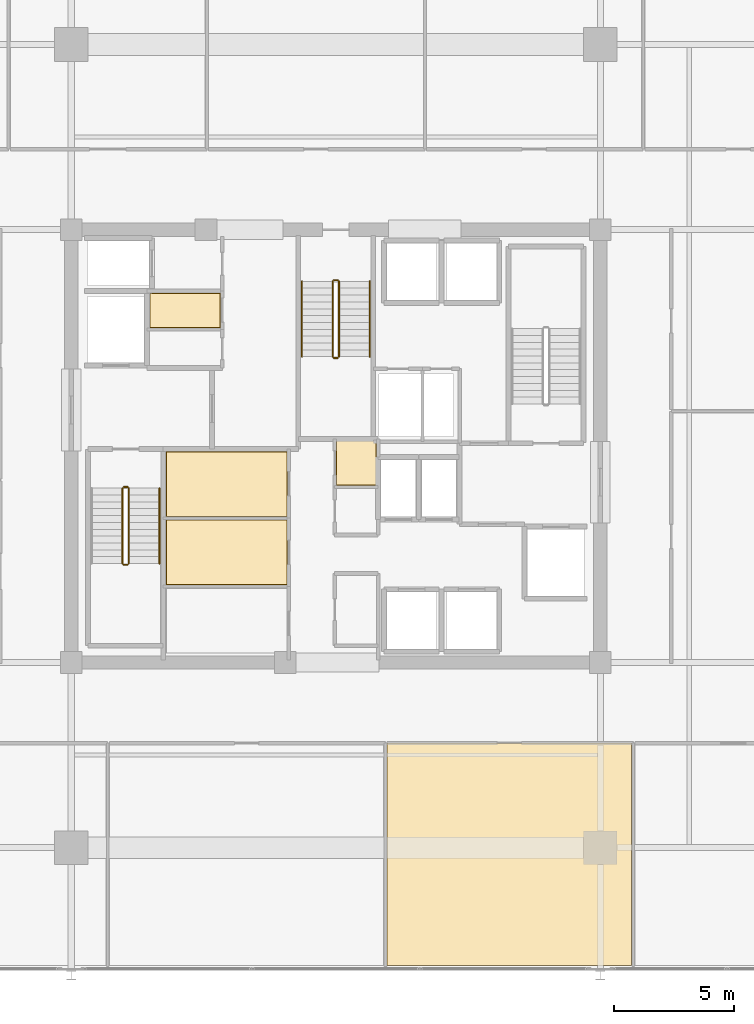
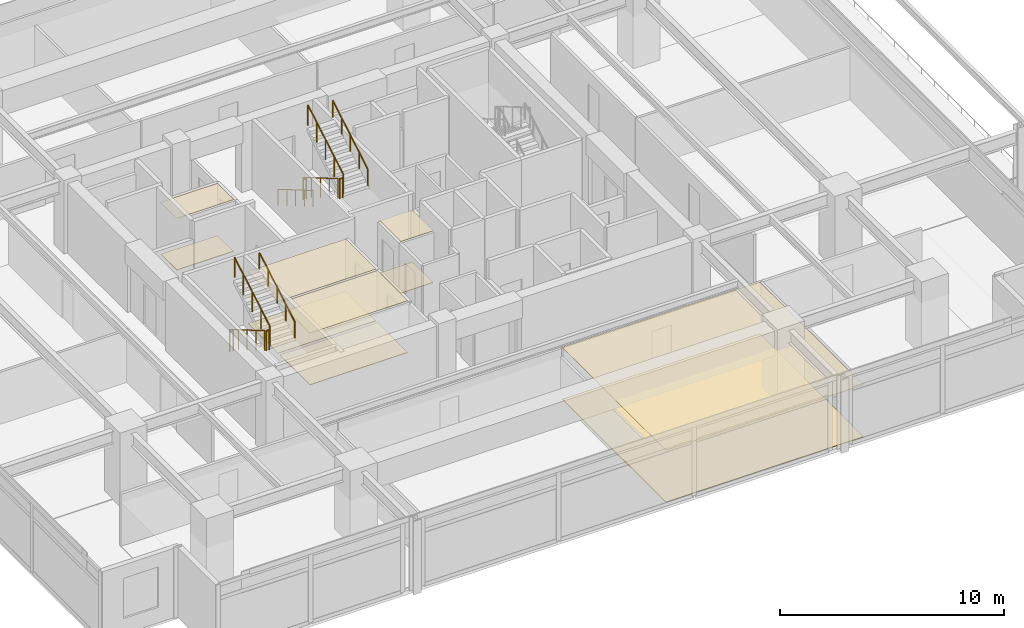
# One storey, part 19 of 21: 11 railings, 10 coverings.
"""IFC4 building model written with IfcOpenShell, lengths in metres."""

from ifc_helpers import new_model, si_unit, direction, frame, origin, origin_2d, place, context, subcontext, project, spatial, polyline, circle, outline, extrude, material, layer, layer_set, type_object, element, save


model = new_model("IFC4")

# Units and contexts
model_context = context("Model", 3, precision=1e-05, world=origin(), true_north=direction((0.0, 1.0)))
body_context = subcontext(model_context, "Body", "Model", "MODEL_VIEW")
ifc_project = project(units=[si_unit("LENGTHUNIT", "METRE"), si_unit("AREAUNIT", "SQUARE_METRE"), si_unit("VOLUMEUNIT", "CUBIC_METRE"), si_unit("PLANEANGLEUNIT", "RADIAN"), si_unit("MASSUNIT", "GRAM", prefix="KILO")], contexts=[model_context])

# Site, building, storey
site_placement = place(None, origin())
site = spatial("IfcSite", under=ifc_project, at=site_placement, CompositionType="ELEMENT")
building_placement = place(site_placement, origin())
building = spatial("IfcBuilding", under=site, at=building_placement, Name="Kovane Verandah Tower", CompositionType="ELEMENT")
storey_placement = place(building_placement, frame((0.0, 0.0, 209.199951171875)))
storey = spatial("IfcBuildingStorey", under=building, at=storey_placement, Name="L48", CompositionType="ELEMENT", Elevation=209.199951171875)

# Coverings
ifc_material_1 = material(Name="Perforated Acoustic Mineral-Fibre Ceiling Tile", Category="gypsum")
ifc_layer_1 = layer(ifc_material_1, 0.02490234375)
ifc_layer_set_1 = layer_set([ifc_layer_1], Name="Perforated Acoustic Mineral-Fibre Ceiling Tile")
covering_type_1 = type_object("IfcCoveringType", Name="CV-CEIL-25", PredefinedType="CEILING", material=ifc_layer_set_1)
covering_1_placement = place(storey_placement, frame((0.0, 0.0, 2.824951171875)))
element("IfcCovering", 1, at=covering_1_placement, inside=storey, type_object=covering_type_1, Name="L48 First Aid and Wellness Room Acoustic Ceiling", PredefinedType="CEILING", context=body_context, shape_type="SweptSolid", body=[
    extrude(outline(polyline([(32.93505859375, 21.72509765625), (37.9951171875, 21.72509765625), (37.9951171875, 24.43505859375), (32.93505859375, 24.43505859375), (32.93505859375, 21.72509765625)])), origin(), (0.0, 0.0, 1.0), 0.025146484375),
])
covering_2_placement = place(storey_placement, frame((0.0, 0.0, 2.824951171875)))
element("IfcCovering", 2, at=covering_2_placement, inside=storey, type_object=covering_type_1, Name="L48 Tea and Copy Hub Acoustic Ceiling", PredefinedType="CEILING", context=body_context, shape_type="SweptSolid", body=[
    extrude(outline(polyline([(32.93505859375, 24.56494140625), (37.9951171875, 24.56494140625), (37.9951171875, 27.264892578125), (32.93505859375, 27.264892578125), (32.93505859375, 24.56494140625)])), origin(), (0.0, 0.0, 1.0), 0.025146484375),
])
covering_3_placement = place(storey_placement, frame((0.0, 0.0, 2.824951171875)))
element("IfcCovering", 3, at=covering_3_placement, inside=storey, type_object=covering_type_1, Name="L48 North-West First Aid Room Acoustic Ceiling", PredefinedType="CEILING", context=body_context, shape_type="SweptSolid", body=[
    extrude(outline(polyline([(32.264892578125, 32.4150390625), (35.195068359375, 32.4150390625), (35.195068359375, 33.864990234375), (32.264892578125, 33.864990234375), (32.264892578125, 32.4150390625)])), origin(), (0.0, 0.0, 1.0), 0.025146484375),
])
covering_4_placement = place(storey_placement, frame((0.0, 0.0, 2.824951171875)))
element("IfcCovering", 4, at=covering_4_placement, inside=storey, type_object=covering_type_1, Name="L48 Central First Aid and Wellness Room Acoustic Ceiling", PredefinedType="CEILING", context=body_context, shape_type="SweptSolid", body=[
    extrude(outline(polyline([(40.0048828125, 25.864990234375), (41.695068359375, 25.864990234375), (41.695068359375, 27.735107421875), (40.0048828125, 27.735107421875), (40.0048828125, 25.864990234375)])), origin(), (0.0, 0.0, 1.0), 0.025146484375),
])
covering_5_placement = place(storey_placement, frame((0.0, 0.0, 2.824951171875)))
element("IfcCovering", 5, at=covering_5_placement, inside=storey, type_object=covering_type_1, Name="L48 Open Plan Office S3 Acoustic Ceiling", PredefinedType="CEILING", context=body_context, shape_type="SweptSolid", body=[
    extrude(outline(polyline([(42.1318359375, 5.908447265625), (52.30078125, 5.908447265625), (52.30078125, 15.14990234375), (42.1318359375, 15.14990234375), (42.1318359375, 5.908447265625)])), origin(), (0.0, 0.0, 1.0), 0.025146484375),
])
ifc_material_2 = material(Name="Polished Terrazzo and Raised-Access Carpet Tile Finish", Category="concrete")
ifc_layer_2 = layer(ifc_material_2, 0.030029296875)
ifc_layer_set_2 = layer_set([ifc_layer_2], Name="Polished Terrazzo and Raised-Access Carpet Tile Finish")
covering_type_2 = type_object("IfcCoveringType", Name="CV-FLOR-30", PredefinedType="FLOORING", material=ifc_layer_set_2)
covering_6_placement = place(storey_placement, origin())
element("IfcCovering", 6, at=covering_6_placement, inside=storey, type_object=covering_type_2, Name="L48 First Aid and Wellness Room Floor Finish", PredefinedType="FLOORING", context=body_context, shape_type="SweptSolid", body=[
    extrude(outline(polyline([(32.949951171875, 21.739990234375), (37.97998046875, 21.739990234375), (37.97998046875, 24.419921875), (32.949951171875, 24.419921875), (32.949951171875, 21.739990234375)])), origin(), (0.0, 0.0, 1.0), 0.030029296875),
])
covering_7_placement = place(storey_placement, origin())
element("IfcCovering", 7, at=covering_7_placement, inside=storey, type_object=covering_type_2, Name="L48 Tea and Copy Hub Floor Finish", PredefinedType="FLOORING", context=body_context, shape_type="SweptSolid", body=[
    extrude(outline(polyline([(32.949951171875, 24.580078125), (37.97998046875, 24.580078125), (37.97998046875, 27.25), (32.949951171875, 27.25), (32.949951171875, 24.580078125)])), origin(), (0.0, 0.0, 1.0), 0.030029296875),
])
covering_8_placement = place(storey_placement, origin())
element("IfcCovering", 8, at=covering_8_placement, inside=storey, type_object=covering_type_2, Name="L48 North-West First Aid Room Floor Finish", PredefinedType="FLOORING", context=body_context, shape_type="SweptSolid", body=[
    extrude(outline(polyline([(32.280029296875, 32.429931640625), (35.179931640625, 32.429931640625), (35.179931640625, 33.85009765625), (32.280029296875, 33.85009765625), (32.280029296875, 32.429931640625)])), origin(), (0.0, 0.0, 1.0), 0.030029296875),
])
covering_9_placement = place(storey_placement, origin())
element("IfcCovering", 9, at=covering_9_placement, inside=storey, type_object=covering_type_2, Name="L48 Central First Aid and Wellness Room Floor Finish", PredefinedType="FLOORING", context=body_context, shape_type="SweptSolid", body=[
    extrude(outline(polyline([(40.02001953125, 25.8798828125), (41.679931640625, 25.8798828125), (41.679931640625, 27.719970703125), (40.02001953125, 27.719970703125), (40.02001953125, 25.8798828125)])), origin(), (0.0, 0.0, 1.0), 0.030029296875),
])
covering_10_placement = place(storey_placement, origin())
element("IfcCovering", 10, at=covering_10_placement, inside=storey, type_object=covering_type_2, Name="L48 Open Plan Office S3 Floor Finish", PredefinedType="FLOORING", context=body_context, shape_type="SweptSolid", body=[
    extrude(outline(polyline([(42.1318359375, 5.908447265625), (52.30078125, 5.908447265625), (52.30078125, 15.14990234375), (42.1318359375, 15.14990234375), (42.1318359375, 5.908447265625)])), origin(), (0.0, 0.0, 1.0), 0.030029296875),
])

# Railings
ifc_material_3 = material(Name="Brushed Stainless Steel Handrail", Category="steel")
railing_type_1 = type_object("IfcRailingType", Name="RL-HAND-920", PredefinedType="HANDRAIL", material=ifc_material_3)
railing_1_placement = place(storey_placement, frame((32.669921875, 22.614990234375, 2.166748046875)))
element("IfcRailing", 11, at=railing_1_placement, inside=storey, type_object=railing_type_1, Name="L48 ST-01 stair handrail 2", PredefinedType="HANDRAIL", context=body_context, shape_type="SweptSolid", body=[
    extrude(circle(Radius=0.02392578125, at=origin_2d()), frame((0.0, 0.0, 0.8759765625), z_axis=(0.0, 0.863239559939, 0.504794475164), x_axis=(-1.0, 0.0, 0.0)), (0.0, 0.0, 1.0), 3.631591796875),
    extrude(circle(Radius=0.02099609375, at=origin_2d()), origin(), (0.0, 0.0, 1.0), 0.851806640625),
    extrude(circle(Radius=0.02099609375, at=origin_2d()), frame((0.0, 0.78369140625, 0.458251953125)), (0.0, 0.0, 1.0), 0.851806640625),
    extrude(circle(Radius=0.02099609375, at=origin_2d()), frame((0.0, 1.5673828125, 0.91650390625)), (0.0, 0.0, 1.0), 0.851806640625),
    extrude(circle(Radius=0.02099609375, at=origin_2d()), frame((0.0, 2.351318359375, 1.375)), (0.0, 0.0, 1.0), 0.851806640625),
    extrude(circle(Radius=0.02099609375, at=origin_2d()), frame((0.0, 3.135009765625, 1.833251953125)), (0.0, 0.0, 1.0), 0.851806640625),
])
railing_2_placement = place(storey_placement, frame((38.590087890625, 34.35009765625, 0.166748046875)))
element("IfcRailing", 12, at=railing_2_placement, inside=storey, type_object=railing_type_1, Name="L48 ST-03 stair handrail 1", PredefinedType="HANDRAIL", context=body_context, shape_type="SweptSolid", body=[
    extrude(circle(Radius=0.02392578125, at=origin_2d()), frame((0.0, 0.0, 0.8759765625), z_axis=(0.0, -0.863239559939, 0.504794475164), x_axis=(1.0, 0.0, 0.0)), (0.0, 0.0, 1.0), 3.631591796875),
    extrude(circle(Radius=0.02099609375, at=origin_2d()), origin(), (0.0, 0.0, 1.0), 0.851806640625),
    extrude(circle(Radius=0.02099609375, at=origin_2d()), frame((0.0, -0.78369140625, 0.458251953125)), (0.0, 0.0, 1.0), 0.851806640625),
    extrude(circle(Radius=0.02099609375, at=origin_2d()), frame((0.0, -1.5673828125, 0.91650390625)), (0.0, 0.0, 1.0), 0.851806640625),
    extrude(circle(Radius=0.02099609375, at=origin_2d()), frame((0.0, -2.351318359375, 1.375)), (0.0, 0.0, 1.0), 0.851806640625),
    extrude(circle(Radius=0.02099609375, at=origin_2d()), frame((0.0, -3.135009765625, 1.833251953125)), (0.0, 0.0, 1.0), 0.851806640625),
])
railing_3_placement = place(storey_placement, frame((41.409912109375, 31.215087890625, 2.166748046875)))
element("IfcRailing", 13, at=railing_3_placement, inside=storey, type_object=railing_type_1, Name="L48 ST-03 stair handrail 2", PredefinedType="HANDRAIL", context=body_context, shape_type="SweptSolid", body=[
    extrude(circle(Radius=0.02392578125, at=origin_2d()), frame((0.0, 0.0, 0.8759765625), z_axis=(0.0, 0.863239559939, 0.504794475164), x_axis=(-1.0, 0.0, 0.0)), (0.0, 0.0, 1.0), 3.631591796875),
    extrude(circle(Radius=0.02099609375, at=origin_2d()), origin(), (0.0, 0.0, 1.0), 0.851806640625),
    extrude(circle(Radius=0.02099609375, at=origin_2d()), frame((0.0, 0.78369140625, 0.458251953125)), (0.0, 0.0, 1.0), 0.851806640625),
    extrude(circle(Radius=0.02099609375, at=origin_2d()), frame((0.0, 1.5673828125, 0.91650390625)), (0.0, 0.0, 1.0), 0.851806640625),
    extrude(circle(Radius=0.02099609375, at=origin_2d()), frame((0.0, 2.351318359375, 1.375)), (0.0, 0.0, 1.0), 0.851806640625),
    extrude(circle(Radius=0.02099609375, at=origin_2d()), frame((0.0, 3.135009765625, 1.833251953125)), (0.0, 0.0, 1.0), 0.851806640625),
])
ifc_material_4 = material(Name="Painted Steel Stairwell Guardrail", Category="steel")
railing_type_2 = type_object("IfcRailingType", Name="RL-STGUARD-1120", PredefinedType="GUARDRAIL", material=ifc_material_4)
railing_4_placement = place(storey_placement, frame((31.1298828125, 25.75, 0.166748046875)))
element("IfcRailing", 14, at=railing_4_placement, inside=storey, type_object=railing_type_2, Name="L48 ST-01 stair guard 1", PredefinedType="GUARDRAIL", context=body_context, shape_type="SweptSolid", body=[
    extrude(circle(Radius=0.02392578125, at=origin_2d()), frame((0.0, 0.0, 1.076171875), z_axis=(0.0, -0.863239559939, 0.504794475164), x_axis=(1.0, 0.0, 0.0)), (0.0, 0.0, 1.0), 3.631591796875),
    extrude(circle(Radius=0.02099609375, at=origin_2d()), origin(), (0.0, 0.0, 1.0), 1.052001953125),
    extrude(circle(Radius=0.02099609375, at=origin_2d()), frame((0.0, -0.78369140625, 0.458251953125)), (0.0, 0.0, 1.0), 1.052001953125),
    extrude(circle(Radius=0.02099609375, at=origin_2d()), frame((0.0, -1.5673828125, 0.91650390625)), (0.0, 0.0, 1.0), 1.052001953125),
    extrude(circle(Radius=0.02099609375, at=origin_2d()), frame((0.0, -2.351318359375, 1.375)), (0.0, 0.0, 1.0), 1.052001953125),
    extrude(circle(Radius=0.02099609375, at=origin_2d()), frame((0.0, -3.135009765625, 1.833251953125)), (0.0, 0.0, 1.0), 1.052001953125),
])
railing_5_placement = place(storey_placement, frame((31.179931640625, 22.56494140625, 2.0)))
element("IfcRailing", 15, at=railing_5_placement, inside=storey, type_object=railing_type_2, Name="L48 ST-01 stair guard 2", PredefinedType="GUARDRAIL", context=body_context, shape_type="SweptSolid", body=[
    extrude(circle(Radius=0.02392578125, at=origin_2d()), frame((0.0, 0.0, 1.076171875), z_axis=(1.0, 0.0, 0.0), x_axis=(0.0, 1.0, 0.0)), (0.0, 0.0, 1.0), 0.16015625),
    extrude(circle(Radius=0.02099609375, at=origin_2d()), origin(), (0.0, 0.0, 1.0), 1.052001953125),
    extrude(circle(Radius=0.02099609375, at=origin_2d()), frame((0.16015625, 0.0, 0.0)), (0.0, 0.0, 1.0), 1.052001953125),
])
railing_6_placement = place(storey_placement, frame((31.389892578125, 22.614990234375, 2.166748046875)))
element("IfcRailing", 16, at=railing_6_placement, inside=storey, type_object=railing_type_2, Name="L48 ST-01 stair guard 3", PredefinedType="GUARDRAIL", context=body_context, shape_type="SweptSolid", body=[
    extrude(circle(Radius=0.02392578125, at=origin_2d()), frame((0.0, 0.0, 1.076171875), z_axis=(0.0, 0.863239559939, 0.504794475164), x_axis=(-1.0, 0.0, 0.0)), (0.0, 0.0, 1.0), 3.631591796875),
    extrude(circle(Radius=0.02099609375, at=origin_2d()), origin(), (0.0, 0.0, 1.0), 1.052001953125),
    extrude(circle(Radius=0.02099609375, at=origin_2d()), frame((0.0, 0.78369140625, 0.458251953125)), (0.0, 0.0, 1.0), 1.052001953125),
    extrude(circle(Radius=0.02099609375, at=origin_2d()), frame((0.0, 1.5673828125, 0.91650390625)), (0.0, 0.0, 1.0), 1.052001953125),
    extrude(circle(Radius=0.02099609375, at=origin_2d()), frame((0.0, 2.351318359375, 1.375)), (0.0, 0.0, 1.0), 1.052001953125),
    extrude(circle(Radius=0.02099609375, at=origin_2d()), frame((0.0, 3.135009765625, 1.833251953125)), (0.0, 0.0, 1.0), 1.052001953125),
])
railing_7_placement = place(storey_placement, frame((31.179931640625, 25.800048828125, 0.0)))
element("IfcRailing", 17, at=railing_7_placement, inside=storey, type_object=railing_type_2, Name="L48 ST-01 stair guard 4", PredefinedType="GUARDRAIL", context=body_context, shape_type="SweptSolid", body=[
    extrude(circle(Radius=0.02392578125, at=origin_2d()), frame((0.0, 0.0, 1.076171875), z_axis=(1.0, 0.0, 0.0), x_axis=(0.0, 1.0, 0.0)), (0.0, 0.0, 1.0), 0.16015625),
    extrude(circle(Radius=0.02099609375, at=origin_2d()), origin(), (0.0, 0.0, 1.0), 1.052001953125),
    extrude(circle(Radius=0.02099609375, at=origin_2d()), frame((0.16015625, 0.0, 0.0)), (0.0, 0.0, 1.0), 1.052001953125),
])
railing_8_placement = place(storey_placement, frame((39.8701171875, 34.35009765625, 0.166748046875)))
element("IfcRailing", 18, at=railing_8_placement, inside=storey, type_object=railing_type_2, Name="L48 ST-03 stair guard 1", PredefinedType="GUARDRAIL", context=body_context, shape_type="SweptSolid", body=[
    extrude(circle(Radius=0.02392578125, at=origin_2d()), frame((0.0, 0.0, 1.076171875), z_axis=(0.0, -0.863239559939, 0.504794475164), x_axis=(1.0, 0.0, 0.0)), (0.0, 0.0, 1.0), 3.631591796875),
    extrude(circle(Radius=0.02099609375, at=origin_2d()), origin(), (0.0, 0.0, 1.0), 1.052001953125),
    extrude(circle(Radius=0.02099609375, at=origin_2d()), frame((0.0, -0.78369140625, 0.458251953125)), (0.0, 0.0, 1.0), 1.052001953125),
    extrude(circle(Radius=0.02099609375, at=origin_2d()), frame((0.0, -1.5673828125, 0.91650390625)), (0.0, 0.0, 1.0), 1.052001953125),
    extrude(circle(Radius=0.02099609375, at=origin_2d()), frame((0.0, -2.351318359375, 1.375)), (0.0, 0.0, 1.0), 1.052001953125),
    extrude(circle(Radius=0.02099609375, at=origin_2d()), frame((0.0, -3.135009765625, 1.833251953125)), (0.0, 0.0, 1.0), 1.052001953125),
])
railing_9_placement = place(storey_placement, frame((39.919921875, 31.1650390625, 2.0)))
element("IfcRailing", 19, at=railing_9_placement, inside=storey, type_object=railing_type_2, Name="L48 ST-03 stair guard 2", PredefinedType="GUARDRAIL", context=body_context, shape_type="SweptSolid", body=[
    extrude(circle(Radius=0.02392578125, at=origin_2d()), frame((0.0, 0.0, 1.076171875), z_axis=(1.0, 0.0, 0.0), x_axis=(0.0, 1.0, 0.0)), (0.0, 0.0, 1.0), 0.16015625),
    extrude(circle(Radius=0.02099609375, at=origin_2d()), origin(), (0.0, 0.0, 1.0), 1.052001953125),
    extrude(circle(Radius=0.02099609375, at=origin_2d()), frame((0.16015625, 0.0, 0.0)), (0.0, 0.0, 1.0), 1.052001953125),
])
railing_10_placement = place(storey_placement, frame((40.1298828125, 31.215087890625, 2.166748046875)))
element("IfcRailing", 20, at=railing_10_placement, inside=storey, type_object=railing_type_2, Name="L48 ST-03 stair guard 3", PredefinedType="GUARDRAIL", context=body_context, shape_type="SweptSolid", body=[
    extrude(circle(Radius=0.02392578125, at=origin_2d()), frame((0.0, 0.0, 1.076171875), z_axis=(0.0, 0.863239559939, 0.504794475164), x_axis=(-1.0, 0.0, 0.0)), (0.0, 0.0, 1.0), 3.631591796875),
    extrude(circle(Radius=0.02099609375, at=origin_2d()), origin(), (0.0, 0.0, 1.0), 1.052001953125),
    extrude(circle(Radius=0.02099609375, at=origin_2d()), frame((0.0, 0.78369140625, 0.458251953125)), (0.0, 0.0, 1.0), 1.052001953125),
    extrude(circle(Radius=0.02099609375, at=origin_2d()), frame((0.0, 1.5673828125, 0.91650390625)), (0.0, 0.0, 1.0), 1.052001953125),
    extrude(circle(Radius=0.02099609375, at=origin_2d()), frame((0.0, 2.351318359375, 1.375)), (0.0, 0.0, 1.0), 1.052001953125),
    extrude(circle(Radius=0.02099609375, at=origin_2d()), frame((0.0, 3.135009765625, 1.833251953125)), (0.0, 0.0, 1.0), 1.052001953125),
])
railing_11_placement = place(storey_placement, frame((39.919921875, 34.39990234375, 0.0)))
element("IfcRailing", 21, at=railing_11_placement, inside=storey, type_object=railing_type_2, Name="L48 ST-03 stair guard 4", PredefinedType="GUARDRAIL", context=body_context, shape_type="SweptSolid", body=[
    extrude(circle(Radius=0.02392578125, at=origin_2d()), frame((0.0, 0.0, 1.076171875), z_axis=(1.0, 0.0, 0.0), x_axis=(0.0, 1.0, 0.0)), (0.0, 0.0, 1.0), 0.16015625),
    extrude(circle(Radius=0.02099609375, at=origin_2d()), origin(), (0.0, 0.0, 1.0), 1.052001953125),
    extrude(circle(Radius=0.02099609375, at=origin_2d()), frame((0.16015625, 0.0, 0.0)), (0.0, 0.0, 1.0), 1.052001953125),
])

save(model, "model.ifc")
